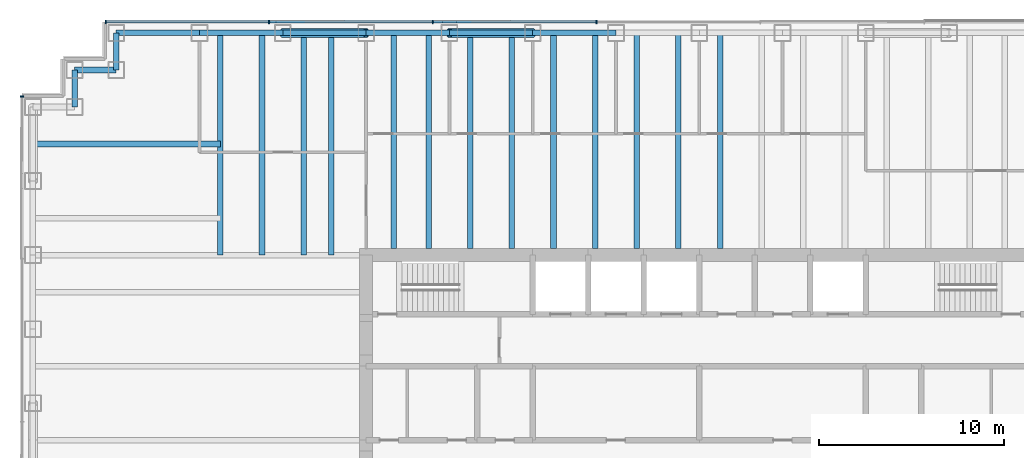
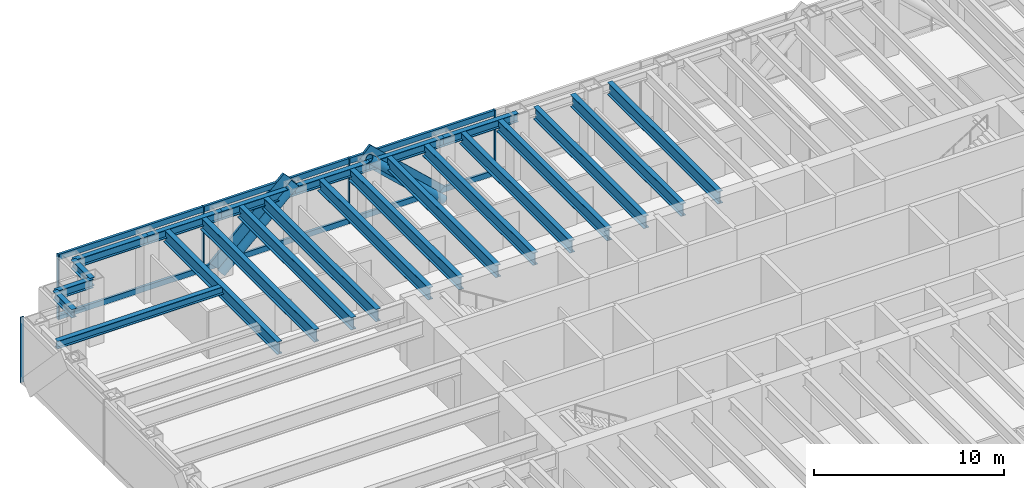
# One storey, part 6 of 15: 23 beams, 15 members, 2 elements without a shape of their own.
"""IFC4 building model written with IfcOpenShell, lengths in metres."""

from ifc_helpers import new_model, si_unit, direction, frame, origin, origin_2d, place, context, subcontext, project, spatial, rectangle, hollow_circle, i_section, extrude, material, material_profile, profile_set, type_object, element, aggregate, save


model = new_model("IFC4")

# Units and contexts
model_context = context("Model", 3, precision=1e-05, world=origin(), true_north=direction((0.0, 1.0)))
body_context = subcontext(model_context, "Body", "Model", "MODEL_VIEW")
ifc_project = project(units=[si_unit("LENGTHUNIT", "METRE"), si_unit("AREAUNIT", "SQUARE_METRE"), si_unit("VOLUMEUNIT", "CUBIC_METRE"), si_unit("PLANEANGLEUNIT", "RADIAN"), si_unit("MASSUNIT", "GRAM", prefix="KILO")], contexts=[model_context])

# Site, building, storey
site_placement = place(None, origin())
site = spatial("IfcSite", under=ifc_project, at=site_placement, CompositionType="ELEMENT")
building_placement = place(site_placement, origin())
building = spatial("IfcBuilding", under=site, at=building_placement, Name="Rheinbord Bourse Tower", CompositionType="ELEMENT")
storey_placement = place(building_placement, frame((0.0, 0.0, 313.10009765625)))
storey = spatial("IfcBuildingStorey", under=building, at=storey_placement, Name="L71", CompositionType="ELEMENT", Elevation=313.10009765625)

# Curtain wall, members
ifc_material_1 = material(Name="Dark glass and black aluminium", Category="aluminium")
curtain_wall_type = type_object("IfcCurtainWallType", Name="CW3 DARK GLASS CURTAIN WALL", PredefinedType="USERDEFINED", material=ifc_material_1)
curtain_wall_1_placement = place(storey_placement, origin())
curtain_wall_1 = element("IfcCurtainWall", 1, at=curtain_wall_1_placement, inside=storey, type_object=curtain_wall_type, Name="Curtain wall CW3 N L71", ObjectType="UNITISED CURTAIN WALL", PredefinedType="USERDEFINED")
ifc_material_2 = material(Name="Black anodised aluminium", Category="aluminium")
ifc_material_profile_1 = material_profile(ifc_material_2, rectangle(XDim=0.14990234375, YDim=1.10791015625, at=origin_2d()), Name="CW3 DIAGONAL MULLION 1108x150")
ifc_profile_set_1 = profile_set([ifc_material_profile_1], Name="Black anodised aluminium")
member_type_1 = type_object("IfcMemberType", Name="CW3 BLACK DIAGONAL MULLION", PredefinedType="USERDEFINED", material=ifc_profile_set_1)
member_1_placement = place(storey_placement, frame((13.5, 44.60009765625, 0.0), z_axis=(0.73105922506, 0.0, 0.682314010889), x_axis=(0.0, 1.0, 0.0)))
member_1 = element("IfcMember", 2, at=member_1_placement, type_object=member_type_1, Name="CW3 diagonal mullion b", ObjectType="DIAGONAL MULLION", PredefinedType="USERDEFINED", context=body_context, shape_type="SweptSolid", body=[
    extrude(rectangle(XDim=0.14990234375, YDim=1.10791015625, at=origin_2d()), origin(), (0.0, 0.0, 1.0), 6.155517578125),
])
member_2_placement = place(storey_placement, frame((27.0, 44.60009765625, 0.0), z_axis=(-0.73105922506, 0.0, 0.682314010889), x_axis=(0.0, -1.0, 0.0)))
member_2 = element("IfcMember", 3, at=member_2_placement, type_object=member_type_1, Name="CW3 diagonal mullion c", ObjectType="DIAGONAL MULLION", PredefinedType="USERDEFINED", context=body_context, shape_type="SweptSolid", body=[
    extrude(rectangle(XDim=0.14990234375, YDim=1.10791015625, at=origin_2d()), origin(), (0.0, 0.0, 1.0), 6.155517578125),
])
ifc_material_3 = material(Name="Black anodised aluminium", Category="aluminium")
ifc_material_profile_2 = material_profile(ifc_material_3, rectangle(XDim=0.199951171875, YDim=0.06494140625, at=origin_2d()), Name="CW3 MULLION 65x200")
ifc_profile_set_2 = profile_set([ifc_material_profile_2], Name="Black anodised aluminium")
member_type_2 = type_object("IfcMemberType", Name="CW3 BLACK MULLION", PredefinedType="MULLION", material=ifc_profile_set_2)
member_3_placement = place(storey_placement, frame((30.449951171875, 44.60009765625, 0.0), z_axis=(0.0, 0.0, 1.0), x_axis=(0.0, -1.0, 0.0)))
member_3 = element("IfcMember", 4, at=member_3_placement, type_object=member_type_2, Name="CW3 mullion 5", PredefinedType="MULLION", context=body_context, shape_type="SweptSolid", body=[
    extrude(rectangle(XDim=0.199951171875, YDim=0.06494140625, at=origin_2d()), origin(), (0.0, 0.0, 1.0), 4.199951171875),
])
member_4_placement = place(storey_placement, frame((21.60009765625, 44.60009765625, 0.0), z_axis=(0.0, 0.0, 1.0), x_axis=(0.0, -1.0, 0.0)))
member_4 = element("IfcMember", 5, at=member_4_placement, type_object=member_type_2, Name="CW3 mullion 6", PredefinedType="MULLION", context=body_context, shape_type="SweptSolid", body=[
    extrude(rectangle(XDim=0.199951171875, YDim=0.06494140625, at=origin_2d()), origin(), (0.0, 0.0, 1.0), 4.199951171875),
])
member_5_placement = place(storey_placement, frame((12.75, 44.60009765625, 0.0), z_axis=(0.0, 0.0, 1.0), x_axis=(0.0, -1.0, 0.0)))
member_5 = element("IfcMember", 6, at=member_5_placement, type_object=member_type_2, Name="CW3 mullion 7", PredefinedType="MULLION", context=body_context, shape_type="SweptSolid", body=[
    extrude(rectangle(XDim=0.199951171875, YDim=0.06494140625, at=origin_2d()), origin(), (0.0, 0.0, 1.0), 4.199951171875),
])
member_6_placement = place(storey_placement, frame((3.9326171875, 44.60009765625, 0.0), z_axis=(0.0, 0.0, 1.0), x_axis=(0.0, -1.0, 0.0)))
member_6 = element("IfcMember", 7, at=member_6_placement, type_object=member_type_2, Name="CW3 mullion 8", PredefinedType="MULLION", context=body_context, shape_type="SweptSolid", body=[
    extrude(rectangle(XDim=0.199951171875, YDim=0.06494140625, at=origin_2d()), origin(), (0.0, 0.0, 1.0), 4.199951171875),
])

# Curtain wall, member
curtain_wall_2_placement = place(storey_placement, origin())
curtain_wall_2 = element("IfcCurtainWall", 8, at=curtain_wall_2_placement, inside=storey, type_object=curtain_wall_type, Name="Curtain wall CW3 W L71", ObjectType="UNITISED CURTAIN WALL", PredefinedType="USERDEFINED")
member_7_placement = place(storey_placement, frame((-0.60009765625, 40.5673828125, 0.0), z_axis=(0.0, 0.0, 1.0), x_axis=(1.0, 0.0, 0.0)))
member_7 = element("IfcMember", 9, at=member_7_placement, type_object=member_type_2, Name="CW3 mullion 1", PredefinedType="MULLION", context=body_context, shape_type="SweptSolid", body=[
    extrude(rectangle(XDim=0.199951171875, YDim=0.06494140625, at=origin_2d()), origin(), (0.0, 0.0, 1.0), 4.199951171875),
])
aggregate(curtain_wall_2, [member_7])

# Member
ifc_material_4 = material(Name="Black anodised aluminium", Category="aluminium")
ifc_material_profile_3 = material_profile(ifc_material_4, rectangle(XDim=0.14990234375, YDim=0.35009765625, at=origin_2d()), Name="CW3 TRANSOM 350x150")
ifc_profile_set_3 = profile_set([ifc_material_profile_3], Name="Black anodised aluminium")
member_type_3 = type_object("IfcMemberType", Name="CW3 BLACK TRANSOM", PredefinedType="USERDEFINED", material=ifc_profile_set_3)
member_8_placement = place(storey_placement, frame((30.41748046875, 44.60009765625, 0.1748046875), z_axis=(-1.0, 0.0, 0.0), x_axis=(0.0, -1.0, 0.0)))
member_8 = element("IfcMember", 10, at=member_8_placement, type_object=member_type_3, Name="CW3 transom 5.1", ObjectType="TRANSOM", PredefinedType="USERDEFINED", context=body_context, shape_type="SweptSolid", body=[
    extrude(rectangle(XDim=0.14990234375, YDim=0.35009765625, at=origin_2d()), origin(), (0.0, 0.0, 1.0), 8.784912109375),
])

member_9_placement = place(storey_placement, frame((30.41748046875, 44.60009765625, 4.02490234375), z_axis=(-1.0, 0.0, 0.0), x_axis=(0.0, -1.0, 0.0)))
member_9 = element("IfcMember", 11, at=member_9_placement, type_object=member_type_3, Name="CW3 transom 5.2", ObjectType="TRANSOM", PredefinedType="USERDEFINED", context=body_context, shape_type="SweptSolid", body=[
    extrude(rectangle(XDim=0.14990234375, YDim=0.35009765625, at=origin_2d()), origin(), (0.0, 0.0, 1.0), 8.784912109375),
])

member_10_placement = place(storey_placement, frame((21.5673828125, 44.60009765625, 0.1748046875), z_axis=(-1.0, 0.0, 0.0), x_axis=(0.0, -1.0, 0.0)))
member_10 = element("IfcMember", 12, at=member_10_placement, type_object=member_type_3, Name="CW3 transom 6.1", ObjectType="TRANSOM", PredefinedType="USERDEFINED", context=body_context, shape_type="SweptSolid", body=[
    extrude(rectangle(XDim=0.14990234375, YDim=0.35009765625, at=origin_2d()), origin(), (0.0, 0.0, 1.0), 8.784912109375),
])

member_11_placement = place(storey_placement, frame((21.5673828125, 44.60009765625, 4.02490234375), z_axis=(-1.0, 0.0, 0.0), x_axis=(0.0, -1.0, 0.0)))
member_11 = element("IfcMember", 13, at=member_11_placement, type_object=member_type_3, Name="CW3 transom 6.2", ObjectType="TRANSOM", PredefinedType="USERDEFINED", context=body_context, shape_type="SweptSolid", body=[
    extrude(rectangle(XDim=0.14990234375, YDim=0.35009765625, at=origin_2d()), origin(), (0.0, 0.0, 1.0), 8.784912109375),
])

member_12_placement = place(storey_placement, frame((12.717529296875, 44.60009765625, 0.1748046875), z_axis=(-1.0, 0.0, 0.0), x_axis=(0.0, -1.0, 0.0)))
member_12 = element("IfcMember", 14, at=member_12_placement, type_object=member_type_3, Name="CW3 transom 7.1", ObjectType="TRANSOM", PredefinedType="USERDEFINED", context=body_context, shape_type="SweptSolid", body=[
    extrude(rectangle(XDim=0.14990234375, YDim=0.35009765625, at=origin_2d()), origin(), (0.0, 0.0, 1.0), 8.75244140625),
])

member_13_placement = place(storey_placement, frame((12.717529296875, 44.60009765625, 4.02490234375), z_axis=(-1.0, 0.0, 0.0), x_axis=(0.0, -1.0, 0.0)))
member_13 = element("IfcMember", 15, at=member_13_placement, type_object=member_type_3, Name="CW3 transom 7.2", ObjectType="TRANSOM", PredefinedType="USERDEFINED", context=body_context, shape_type="SweptSolid", body=[
    extrude(rectangle(XDim=0.14990234375, YDim=0.35009765625, at=origin_2d()), origin(), (0.0, 0.0, 1.0), 8.75244140625),
])

aggregate(curtain_wall_1, [member_3, member_4, member_5, member_6, member_8, member_9, member_10, member_11, member_12, member_13, member_1, member_2])

# Beams
ifc_material_5 = material(Name="Steel S460", Category="steel")
ifc_material_profile_4 = material_profile(ifc_material_5, i_section(OverallWidth=0.300048828125, OverallDepth=0.800048828125, WebThickness=0.017578125, FlangeThickness=0.032958984375, at=origin_2d()), Name="HEB 800")
ifc_profile_set_4 = profile_set([ifc_material_profile_4], Name="Steel S460")
beam_type_1 = type_object("IfcBeamType", Name="FLOOR BEAM HEB 800", PredefinedType="BEAM", material=ifc_profile_set_4)
for number, where, z_axis, x_axis, name in (
    (16, (10.125, 44.0, 3.639892578125), (0.0, -1.0, 0.0), (1.0, 0.0, 0.0), "Floor beam N-9a L72"),
    (17, (12.375, 44.0, 3.639892578125), (0.0, -1.0, 0.0), (1.0, 0.0, 0.0), "Floor beam N-9b L72"),
    (18, (14.625, 44.0, 3.639892578125), (0.0, -1.0, 0.0), (1.0, 0.0, 0.0), "Floor beam N-13.5a L72"),
    (19, (16.125, 44.0, 3.639892578125), (0.0, -1.0, 0.0), (1.0, 0.0, 0.0), "Floor beam N-13.5b L72"),
):
    element("IfcBeam", number, at=place(storey_placement, frame(where, z_axis=z_axis, x_axis=x_axis)), inside=storey, type_object=beam_type_1, Name=name, PredefinedType="BEAM", context=body_context, shape_type="SweptSolid", body=[
        extrude(i_section(OverallWidth=0.300048828125, OverallDepth=0.800048828125, WebThickness=0.017578125, FlangeThickness=0.032958984375, at=origin_2d()), origin(), (0.0, 0.0, 1.0), 12.0),
    ])
for number, where, z_axis, x_axis, name in (
    (20, (19.5, 44.0, 3.639892578125), (0.0, -1.0, 0.0), (1.0, 0.0, 0.0), "Floor beam N-18a L72"),
    (21, (21.375, 44.0, 3.639892578125), (0.0, -1.0, 0.0), (1.0, 0.0, 0.0), "Floor beam N-18b L72"),
    (22, (23.625, 44.0, 3.639892578125), (0.0, -1.0, 0.0), (1.0, 0.0, 0.0), "Floor beam N-22.5a L72"),
    (23, (25.875, 44.0, 3.639892578125), (0.0, -1.0, 0.0), (1.0, 0.0, 0.0), "Floor beam N-22.5b L72"),
    (24, (28.125, 44.0, 3.639892578125), (0.0, -1.0, 0.0), (1.0, 0.0, 0.0), "Floor beam N-27a L72"),
    (25, (30.375, 44.0, 3.639892578125), (0.0, -1.0, 0.0), (1.0, 0.0, 0.0), "Floor beam N-27b L72"),
    (26, (32.625, 44.0, 3.639892578125), (0.0, -1.0, 0.0), (1.0, 0.0, 0.0), "Floor beam N-31.5a L72"),
    (27, (34.875, 44.0, 3.639892578125), (0.0, -1.0, 0.0), (1.0, 0.0, 0.0), "Floor beam N-31.5b L72"),
    (28, (37.125, 44.0, 3.639892578125), (0.0, -1.0, 0.0), (1.0, 0.0, 0.0), "Floor beam N-36a L72"),
):
    element("IfcBeam", number, at=place(storey_placement, frame(where, z_axis=z_axis, x_axis=x_axis)), inside=storey, type_object=beam_type_1, Name=name, PredefinedType="BEAM", context=body_context, shape_type="SweptSolid", body=[
        extrude(i_section(OverallWidth=0.300048828125, OverallDepth=0.800048828125, WebThickness=0.017578125, FlangeThickness=0.032958984375, at=origin_2d()), origin(), (0.0, 0.0, 1.0), 11.64990234375),
    ])

# Members
ifc_material_6 = material(Name="Steel S460", Category="steel")
ifc_material_profile_5 = material_profile(ifc_material_6, hollow_circle(Radius=0.25390625, WallThickness=0.030029296875, at=origin_2d()), Name="CHS 508x30")
ifc_profile_set_5 = profile_set([ifc_material_profile_5], Name="Steel S460")
member_type_4 = type_object("IfcMemberType", Name="MEGABRACE CHS 508x30", PredefinedType="BRACE", material=ifc_profile_set_5)
for number, where, z_axis, x_axis, name in (
    (29, (13.5, 44.0, 0.0), (0.73105922506, 0.0, 0.682314010889), (0.0, 1.0, 0.0), "Megabrace N face line b L71"),
    (30, (27.0, 44.0, 0.0), (-0.73105922506, 0.0, 0.682314010889), (0.0, -1.0, 0.0), "Megabrace N face line c L71"),
):
    element("IfcMember", number, at=place(storey_placement, frame(where, z_axis=z_axis, x_axis=x_axis)), inside=storey, type_object=member_type_4, Name=name, PredefinedType="BRACE", context=body_context, shape_type="SweptSolid", body=[
        extrude(hollow_circle(Radius=0.25390625, WallThickness=0.030029296875, at=origin_2d()), origin(), (0.0, 0.0, 1.0), 6.155517578125),
    ])

# Beams
ifc_material_7 = material(Name="Steel S460", Category="steel")
ifc_material_profile_6 = material_profile(ifc_material_7, i_section(OverallWidth=0.300048828125, OverallDepth=0.550048828125, WebThickness=0.014892578125, FlangeThickness=0.029052734375, at=origin_2d()), Name="HEB 550")
ifc_profile_set_6 = profile_set([ifc_material_profile_6], Name="Steel S460")
beam_type_2 = type_object("IfcBeamType", Name="SPANDREL HEB 550", PredefinedType="SPANDREL", material=ifc_profile_set_6)
for number, where, z_axis, x_axis, name in (
    (31, (31.5, 44.0, 3.764892578125), (-1.0, 0.0, 0.0), (0.0, -1.0, 0.0), "Spandrel N-31.5-N-27 under L72"),
    (32, (27.0, 44.0, 3.764892578125), (-1.0, 0.0, 0.0), (0.0, -1.0, 0.0), "Spandrel N-27-N-22.5 under L72"),
    (33, (22.5, 44.0, 3.764892578125), (-1.0, 0.0, 0.0), (0.0, -1.0, 0.0), "Spandrel N-22.5-N-18 under L72"),
    (34, (18.0, 44.0, 3.764892578125), (-1.0, 0.0, 0.0), (0.0, -1.0, 0.0), "Spandrel N-18-N-13.5 under L72"),
    (35, (13.5, 44.0, 3.764892578125), (-1.0, 0.0, 0.0), (0.0, -1.0, 0.0), "Spandrel N-13.5-N-9 under L72"),
    (36, (9.0, 44.0, 3.764892578125), (-1.0, 0.0, 0.0), (0.0, -1.0, 0.0), "Spandrel N-9-NW-E under L72"),
):
    element("IfcBeam", number, at=place(storey_placement, frame(where, z_axis=z_axis, x_axis=x_axis)), inside=storey, type_object=beam_type_2, Name=name, PredefinedType="SPANDREL", context=body_context, shape_type="SweptSolid", body=[
        extrude(i_section(OverallWidth=0.300048828125, OverallDepth=0.550048828125, WebThickness=0.014892578125, FlangeThickness=0.029052734375, at=origin_2d()), origin(), (0.0, 0.0, 1.0), 4.5),
    ])
beam_1_placement = place(storey_placement, frame((4.5, 44.0, 3.764892578125), z_axis=(0.0, -1.0, 0.0), x_axis=(1.0, 0.0, 0.0)))
element("IfcBeam", 37, at=beam_1_placement, inside=storey, type_object=beam_type_2, Name="Spandrel NW-E-NW-D under L72", PredefinedType="SPANDREL", context=body_context, shape_type="SweptSolid", body=[
    extrude(i_section(OverallWidth=0.300048828125, OverallDepth=0.550048828125, WebThickness=0.014892578125, FlangeThickness=0.029052734375, at=origin_2d()), origin(), (0.0, 0.0, 1.0), 2.0),
])
beam_2_placement = place(storey_placement, frame((4.5, 42.0, 3.764892578125), z_axis=(-1.0, 0.0, 0.0), x_axis=(0.0, -1.0, 0.0)))
element("IfcBeam", 38, at=beam_2_placement, inside=storey, type_object=beam_type_2, Name="Spandrel NW-D-NW-C under L72", PredefinedType="SPANDREL", context=body_context, shape_type="SweptSolid", body=[
    extrude(i_section(OverallWidth=0.300048828125, OverallDepth=0.550048828125, WebThickness=0.014892578125, FlangeThickness=0.029052734375, at=origin_2d()), origin(), (0.0, 0.0, 1.0), 2.25),
])
beam_3_placement = place(storey_placement, frame((2.25, 42.0, 3.764892578125), z_axis=(0.0, -1.0, 0.0), x_axis=(1.0, 0.0, 0.0)))
element("IfcBeam", 39, at=beam_3_placement, inside=storey, type_object=beam_type_2, Name="Spandrel NW-C-NW-B under L72", PredefinedType="SPANDREL", context=body_context, shape_type="SweptSolid", body=[
    extrude(i_section(OverallWidth=0.300048828125, OverallDepth=0.550048828125, WebThickness=0.014892578125, FlangeThickness=0.029052734375, at=origin_2d()), origin(), (0.0, 0.0, 1.0), 2.0),
])
ifc_material_8 = material(Name="Steel S460", Category="steel")
ifc_material_profile_7 = material_profile(ifc_material_8, i_section(OverallWidth=0.300048828125, OverallDepth=0.5, WebThickness=0.014404296875, FlangeThickness=0.028076171875, at=origin_2d()), Name="HEB 500")
ifc_profile_set_7 = profile_set([ifc_material_profile_7], Name="Steel S460")
beam_type_3 = type_object("IfcBeamType", Name="TIE BEAM HEB 500", PredefinedType="JOIST", material=ifc_profile_set_7)
beam_4_placement = place(storey_placement, frame((0.0, 38.0, 3.789794921875), z_axis=(1.0, 0.0, 0.0), x_axis=(0.0, 1.0, 0.0)))
element("IfcBeam", 40, at=beam_4_placement, inside=storey, type_object=beam_type_3, Name="Tie west 38 L72", PredefinedType="JOIST", context=body_context, shape_type="SweptSolid", body=[
    extrude(i_section(OverallWidth=0.300048828125, OverallDepth=0.5, WebThickness=0.014404296875, FlangeThickness=0.028076171875, at=origin_2d()), origin(), (0.0, 0.0, 1.0), 10.125),
])

save(model, "model.ifc")
